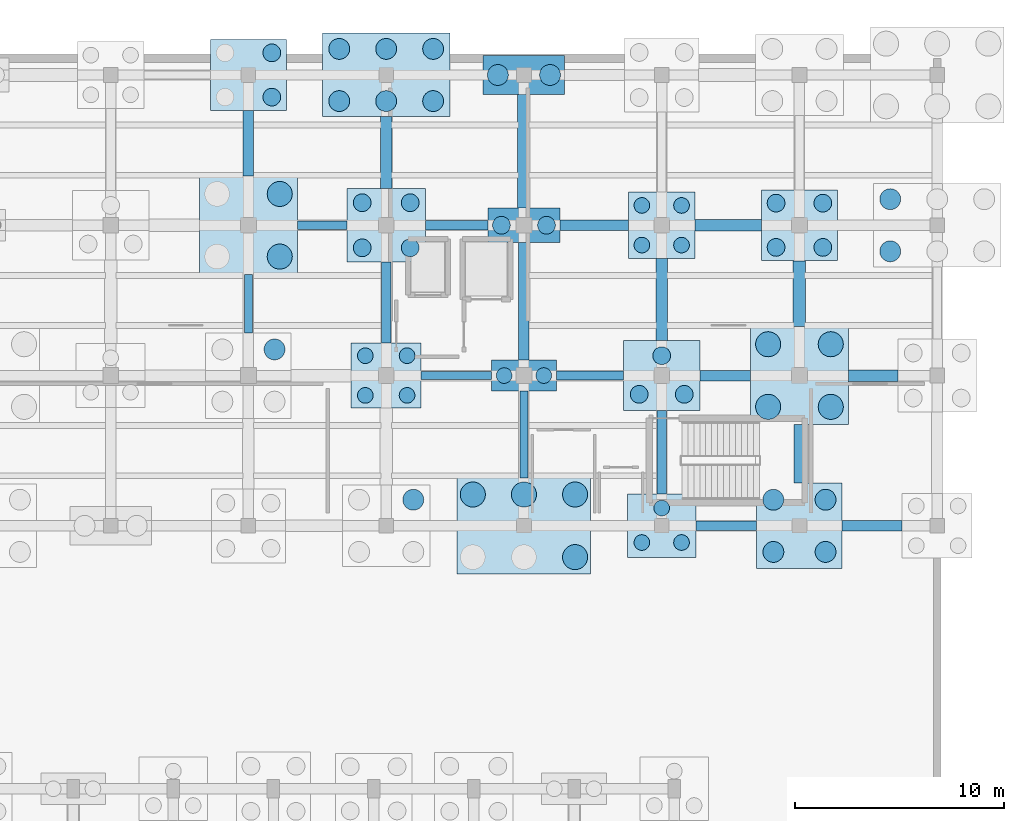
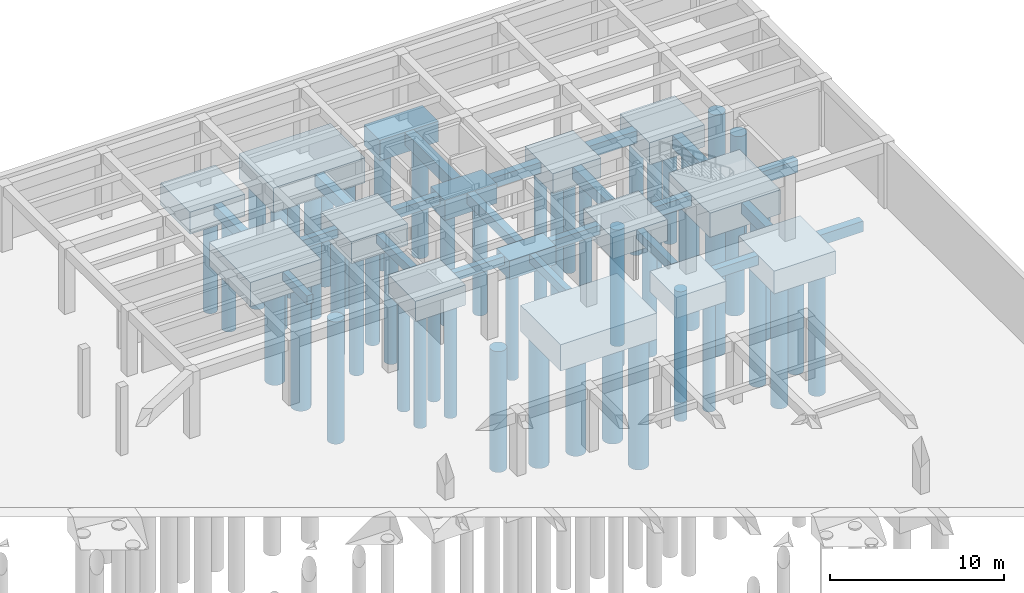
# One storey, part 9 of 34: 54 piles, 36 footings.
"""IFC4 building model written with IfcOpenShell, lengths in metres."""

import ifcopenshell
import ifcopenshell.guid

model = None  # the IFC model being written
_history = None  # IfcOwnerHistory: only IFC2X3 demands one
_inside = {}  # id of a spatial element -> (the spatial element, [elements in it])
_under = {}  # id of a project, library or spatial element -> (it, [spatial elements below it])
_declared = {}  # id of a project -> (the project, [libraries it declares])
_typed = {}  # id of a type object -> (the type object, [elements of that type])
_made_of = {}  # id of a material, layer set ... -> (it, [elements and type objects made of it])


def new_model(schema):
    """Start an empty IFC model of exactly this schema.

    Asked for "IFC4X3", IfcOpenShell would pick the latest addendum, in which some entities
    have other attributes; the version numbers below select the first issue.
    IFC2X3 requires an IfcOwnerHistory on every rooted entity: one is made here for all.
    """
    global model, _history
    if schema == "IFC4X3":
        model = ifcopenshell.file(schema_version=(4, 3, 0, 0))
    else:
        model = ifcopenshell.file(schema=schema)
    _inside.clear()
    _under.clear()
    _declared.clear()
    _typed.clear()
    _made_of.clear()
    _history = None
    if model.schema == "IFC2X3":
        org = make("IfcOrganization", Name="unknown")
        user = make(
            "IfcPersonAndOrganization",
            ThePerson=make("IfcPerson", FamilyName="unknown"),
            TheOrganization=org,
        )
        app = make(
            "IfcApplication",
            ApplicationDeveloper=org,
            Version="unknown",
            ApplicationFullName="unknown",
            ApplicationIdentifier="unknown",
        )
        _history = make(
            "IfcOwnerHistory",
            OwningUser=user,
            OwningApplication=app,
            ChangeAction="ADDED",
            CreationDate=0,
        )
    return model


def make(cls, **values):
    """One entity of the class cls with the attributes given. An attribute that is None is left unset."""
    return model.create_entity(
        cls, **{name: value for name, value in values.items() if value is not None}
    )


def rooted(cls, **values):
    """An entity with a GlobalId (a new one), such as an element, a storey or a relation."""
    return make(cls, GlobalId=ifcopenshell.guid.new(), OwnerHistory=_history, **values)


def si_unit(unit_type, name, prefix=None):
    """IfcSIUnit, for example si_unit("LENGTHUNIT", "METRE", prefix="MILLI")."""
    return make("IfcSIUnit", UnitType=unit_type, Prefix=prefix, Name=name)


def assignment(units):
    """IfcUnitAssignment: the units of a project."""
    return None if units is None else make("IfcUnitAssignment", Units=units)


def point(xyz):
    """IfcCartesianPoint."""
    return None if xyz is None else make("IfcCartesianPoint", Coordinates=xyz)


def direction(xyz):
    """IfcDirection."""
    return None if xyz is None else make("IfcDirection", DirectionRatios=xyz)


def frame(location, z_axis=None, x_axis=None):
    """IfcAxis2Placement3D, a coordinate frame: its origin and axes. An axis left out is left unset."""
    return make(
        "IfcAxis2Placement3D",
        Location=point(location),
        Axis=direction(z_axis),
        RefDirection=direction(x_axis),
    )


def frame_2d(location, x_axis=None):
    """IfcAxis2Placement2D, a coordinate frame in the plane: its origin and x axis."""
    return make(
        "IfcAxis2Placement2D", Location=point(location), RefDirection=direction(x_axis)
    )


def origin():
    """The frame at (0, 0, 0) with its axes left unset."""
    return frame((0.0, 0.0, 0.0))


def origin_2d():
    """The frame at (0, 0) in the plane with its x axis left unset."""
    return frame_2d((0.0, 0.0))


def place(relative_to, where):
    """IfcLocalPlacement: puts the frame where relative to a parent placement (None: the world)."""
    return make(
        "IfcLocalPlacement", PlacementRelTo=relative_to, RelativePlacement=where
    )


def context(
    kind, dimensions, precision=None, world=None, true_north=None, identifier=None
):
    """IfcGeometricRepresentationContext, for example the 3D "Model" context."""
    return make(
        "IfcGeometricRepresentationContext",
        ContextIdentifier=identifier,
        ContextType=kind,
        CoordinateSpaceDimension=dimensions,
        Precision=precision,
        WorldCoordinateSystem=world,
        TrueNorth=true_north,
    )


def subcontext(parent, identifier, kind, view, scale=None):
    """IfcGeometricRepresentationSubContext, for example "Body" below "Model"."""
    return make(
        "IfcGeometricRepresentationSubContext",
        ContextIdentifier=identifier,
        ContextType=kind,
        ParentContext=parent,
        TargetScale=scale,
        TargetView=view,
    )


def project(units=None, contexts=None):
    """IfcProject with its units and contexts."""
    return rooted(
        "IfcProject",
        Name="project",
        RepresentationContexts=contexts,
        UnitsInContext=assignment(units),
    )


def spatial(cls, under=None, at=None, **own):
    """A site, building, storey or space (cls), placed at a placement, below another one or the project."""
    s = rooted(cls, ObjectPlacement=at, **own)
    if under is not None:
        _under.setdefault(under.id(), (under, []))[1].append(s)
    return s


def profile(cls, at=None, kind="AREA", **sizes):
    """A parametric profile (cls). Its sizes go by their IFC names, for example OverallWidth=200.0."""
    return make(cls, ProfileType=kind, Position=at, **sizes)


def rectangle(**sizes):
    """IfcRectangleProfileDef."""
    return profile("IfcRectangleProfileDef", **sizes)


def circle(**sizes):
    """IfcCircleProfileDef."""
    return profile("IfcCircleProfileDef", **sizes)


def extrude(swept, where, along, depth):
    """IfcExtrudedAreaSolid: the profile swept, set in the frame where, extruded along a direction by depth."""
    return make(
        "IfcExtrudedAreaSolid",
        SweptArea=swept,
        Position=where,
        ExtrudedDirection=direction(along),
        Depth=depth,
    )


def shape(context_of_items, identifier, shape_type, items):
    """IfcShapeRepresentation: the items that make up one representation, for example the "Body"."""
    return make(
        "IfcShapeRepresentation",
        ContextOfItems=context_of_items,
        RepresentationIdentifier=identifier,
        RepresentationType=shape_type,
        Items=items,
    )


def material(Name=None, Category=None):
    """IfcMaterial."""
    return make("IfcMaterial", Name=Name, Category=Category)


def material_profile(
    of_material, cross_section, Name=None, Category=None, Priority=None
):
    """IfcMaterialProfile: a cross section and its material."""
    return make(
        "IfcMaterialProfile",
        Name=Name,
        Material=of_material,
        Profile=cross_section,
        Priority=Priority,
        Category=Category,
    )


def profile_set(profiles, Name=None, composite=None):
    """IfcMaterialProfileSet."""
    return make(
        "IfcMaterialProfileSet",
        Name=Name,
        MaterialProfiles=profiles,
        CompositeProfile=composite,
    )


def made_of(thing, what):
    """Note that an element or type object is made of a material, layer set ...; save() writes the relation."""
    if what is not None:
        _made_of.setdefault(what.id(), (what, []))[1].append(thing)
    return thing


def type_object(cls, material=None, **own):
    """A type object (cls), such as IfcWallType, which elements share."""
    return made_of(rooted(cls, **own), material)


def element(
    cls,
    number,
    at=None,
    inside=None,
    cuts=None,
    type_object=None,
    material=None,
    context=None,
    identifier="Body",
    shape_type=None,
    held_by="IfcProductDefinitionShape",
    body=None,
    shapes=None,
    **own,
):
    """One element of the class cls, such as IfcWall. Its Tag is "e" and its number.

    at: its placement. inside: the storey or other place that contains it. cuts: it is an
    opening in that element (IfcRelVoidsElement). A single representation is given by context,
    identifier, shape_type and body (its items); several are given by shapes. held_by: the class
    of the entity that holds the representations. save() writes the other relations.
    """
    e = rooted(cls, Tag="e%d" % number, ObjectPlacement=at, **own)
    if body is not None:
        shapes = [shape(context, identifier, shape_type, body)]
    if shapes is not None:
        e.Representation = make(held_by, Representations=shapes)
    if inside is not None:
        _inside.setdefault(inside.id(), (inside, []))[1].append(e)
    if cuts is not None:
        rooted(
            "IfcRelVoidsElement", RelatingBuildingElement=cuts, RelatedOpeningElement=e
        )
    if type_object is not None:
        _typed.setdefault(type_object.id(), (type_object, []))[1].append(e)
    return made_of(e, material)


def aggregate(whole, parts):
    """IfcRelAggregates: a whole, such as a stair, and the parts it consists of."""
    return rooted("IfcRelAggregates", RelatingObject=whole, RelatedObjects=parts)


def save(model, path):
    """Write the relations noted so far, then the file.

    IfcRelAggregates (storeys below a building ...), IfcRelContainedInSpatialStructure (elements
    in a storey), IfcRelDefinesByType, IfcRelAssociatesMaterial and IfcRelDeclares: one each for
    every whole, place, type object, material and project.
    """
    for whole, parts in _under.values():
        aggregate(whole, parts)
    for where, things in _inside.values():
        rooted(
            "IfcRelContainedInSpatialStructure",
            RelatedElements=things,
            RelatingStructure=where,
        )
    for kind, things in _typed.values():
        rooted("IfcRelDefinesByType", RelatedObjects=things, RelatingType=kind)
    for what, things in _made_of.values():
        rooted("IfcRelAssociatesMaterial", RelatedObjects=things, RelatingMaterial=what)
    for by, libraries in _declared.values():
        rooted("IfcRelDeclares", RelatingContext=by, RelatedDefinitions=libraries)
    model.write(path)


model = new_model("IFC4")

# Units and contexts
model_context = context("Model", 3, precision=1e-05, world=origin(), true_north=direction((0.0, 1.0)))
body_context = subcontext(model_context, "Body", "Model", "MODEL_VIEW")
ifc_project = project(units=[si_unit("LENGTHUNIT", "METRE"), si_unit("AREAUNIT", "SQUARE_METRE"), si_unit("VOLUMEUNIT", "CUBIC_METRE"), si_unit("PLANEANGLEUNIT", "RADIAN"), si_unit("MASSUNIT", "GRAM", prefix="KILO")], contexts=[model_context])

# Site, building, storey
site_placement = place(None, origin())
site = spatial("IfcSite", under=ifc_project, at=site_placement, CompositionType="ELEMENT")
building_placement = place(site_placement, origin())
building = spatial("IfcBuilding", under=site, at=building_placement, Name="Kharisveld Research Institute", CompositionType="ELEMENT")
storey_placement = place(building_placement, frame((0.0, 0.0, -4.800048828125)))
storey = spatial("IfcBuildingStorey", under=building, at=storey_placement, Name="B1", CompositionType="ELEMENT", Elevation=-4.800048828125)

# Footings
ifc_material_1 = material(Name="Concrete C35/45", Category="concrete")
ifc_material_profile_1 = material_profile(ifc_material_1, rectangle(XDim=0.449951171875, YDim=0.64990234375, at=origin_2d()))
ifc_profile_set_1 = profile_set([ifc_material_profile_1], Name="Concrete C35/45")
footing_type_1 = type_object("IfcFootingType", Name="GB_01", PredefinedType="FOOTING_BEAM", material=ifc_profile_set_1)
footing_1_placement = place(storey_placement, frame((149.25, 39.199951171875, -0.77490234375), z_axis=(1.0, 0.0, 0.0), x_axis=(0.0, 1.0, 0.0)))
element("IfcFooting", 1, at=footing_1_placement, inside=storey, type_object=footing_type_1, Name="FTG:GB:V2:U5_0", PredefinedType="FOOTING_BEAM", context=body_context, shape_type="SweptSolid", body=[
    extrude(rectangle(XDim=0.449951171875, YDim=0.64990234375, at=origin_2d()), origin(), (0.0, 0.0, 1.0), 2.89990234375),
])
footing_2_placement = place(storey_placement, frame((142.550048828125, 46.39990234375, -0.77490234375), z_axis=(1.0, 0.0, 0.0), x_axis=(0.0, 1.0, 0.0)))
element("IfcFooting", 2, at=footing_2_placement, inside=storey, type_object=footing_type_1, Name="FTG:GB:V2:U4_1", PredefinedType="FOOTING_BEAM", context=body_context, shape_type="SweptSolid", body=[
    extrude(rectangle(XDim=0.449951171875, YDim=0.64990234375, at=origin_2d()), origin(), (0.0, 0.0, 1.0), 3.224853515625),
])
footing_3_placement = place(storey_placement, frame((136.27490234375, 53.60009765625, -0.77490234375), z_axis=(1.0, 0.0, 0.0), x_axis=(0.0, 1.0, 0.0)))
element("IfcFooting", 3, at=footing_3_placement, inside=storey, type_object=footing_type_1, Name="FTG:GB:V2:U3_2", PredefinedType="FOOTING_BEAM", context=body_context, shape_type="SweptSolid", body=[
    extrude(rectangle(XDim=0.449951171875, YDim=0.64990234375, at=origin_2d()), origin(), (0.0, 0.0, 1.0), 3.0),
])
footing_4_placement = place(storey_placement, frame((134.39990234375, 47.949951171875, -0.77490234375), z_axis=(0.0, 1.0, 0.0), x_axis=(-1.0, 0.0, 0.0)))
element("IfcFooting", 4, at=footing_4_placement, inside=storey, type_object=footing_type_1, Name="FTG:GB:V2:V3_1", PredefinedType="FOOTING_BEAM", context=body_context, shape_type="SweptSolid", body=[
    extrude(rectangle(XDim=0.449951171875, YDim=0.64990234375, at=origin_2d()), origin(), (0.0, 0.0, 1.0), 3.900146484375),
])
footing_5_placement = place(storey_placement, frame((147.60009765625, 40.72509765625, -0.77490234375), z_axis=(0.0, 1.0, 0.0), x_axis=(-1.0, 0.0, 0.0)))
element("IfcFooting", 5, at=footing_5_placement, inside=storey, type_object=footing_type_1, Name="FTG:GB:V2:V5_0", PredefinedType="FOOTING_BEAM", context=body_context, shape_type="SweptSolid", body=[
    extrude(rectangle(XDim=0.449951171875, YDim=0.64990234375, at=origin_2d()), origin(), (0.0, 0.0, 1.0), 4.0),
])
ifc_material_2 = material(Name="Concrete C35/45", Category="concrete")
ifc_material_profile_2 = material_profile(ifc_material_2, rectangle(XDim=0.5, YDim=0.75, at=origin_2d()))
ifc_profile_set_2 = profile_set([ifc_material_profile_2], Name="Concrete C35/45")
footing_type_2 = type_object("IfcFootingType", Name="GB_02", PredefinedType="FOOTING_BEAM", material=ifc_profile_set_2)
footing_6_placement = place(storey_placement, frame((156.25, 39.199951171875, -0.824951171875), z_axis=(1.0, 0.0, 0.0), x_axis=(0.0, 1.0, 0.0)))
element("IfcFooting", 6, at=footing_6_placement, inside=storey, type_object=footing_type_2, Name="FTG:GB:V2:U6_0", PredefinedType="FOOTING_BEAM", context=body_context, shape_type="SweptSolid", body=[
    extrude(rectangle(XDim=0.5, YDim=0.75, at=origin_2d()), origin(), (0.0, 0.0, 1.0), 2.875),
])
footing_7_placement = place(storey_placement, frame((149.425048828125, 46.39990234375, -0.824951171875), z_axis=(1.0, 0.0, 0.0), x_axis=(0.0, 1.0, 0.0)))
element("IfcFooting", 7, at=footing_7_placement, inside=storey, type_object=footing_type_2, Name="FTG:GB:V2:U5_1", PredefinedType="FOOTING_BEAM", context=body_context, shape_type="SweptSolid", body=[
    extrude(rectangle(XDim=0.5, YDim=0.75, at=origin_2d()), origin(), (0.0, 0.0, 1.0), 2.425048828125),
])
footing_8_placement = place(storey_placement, frame((142.72509765625, 53.60009765625, -0.824951171875), z_axis=(1.0, 0.0, 0.0), x_axis=(0.0, 1.0, 0.0)))
element("IfcFooting", 8, at=footing_8_placement, inside=storey, type_object=footing_type_2, Name="FTG:GB:V2:U4_2", PredefinedType="FOOTING_BEAM", context=body_context, shape_type="SweptSolid", body=[
    extrude(rectangle(XDim=0.5, YDim=0.75, at=origin_2d()), origin(), (0.0, 0.0, 1.0), 3.27490234375),
])
footing_9_placement = place(storey_placement, frame((127.800048828125, 55.949951171875, -0.824951171875), z_axis=(0.0, 1.0, 0.0), x_axis=(-1.0, 0.0, 0.0)))
element("IfcFooting", 9, at=footing_9_placement, inside=storey, type_object=footing_type_2, Name="FTG:GB:V2:V2_2", PredefinedType="FOOTING_BEAM", context=body_context, shape_type="SweptSolid", body=[
    extrude(rectangle(XDim=0.5, YDim=0.75, at=origin_2d()), origin(), (0.0, 0.0, 1.0), 3.150146484375),
])
footing_10_placement = place(storey_placement, frame((141.0, 47.14990234375, -0.824951171875), z_axis=(0.0, 1.0, 0.0), x_axis=(-1.0, 0.0, 0.0)))
element("IfcFooting", 10, at=footing_10_placement, inside=storey, type_object=footing_type_2, Name="FTG:GB:V2:V4_1", PredefinedType="FOOTING_BEAM", context=body_context, shape_type="SweptSolid", body=[
    extrude(rectangle(XDim=0.5, YDim=0.75, at=origin_2d()), origin(), (0.0, 0.0, 1.0), 5.625),
])
footing_11_placement = place(storey_placement, frame((154.199951171875, 41.25, -0.824951171875), z_axis=(0.0, 1.0, 0.0), x_axis=(-1.0, 0.0, 0.0)))
element("IfcFooting", 11, at=footing_11_placement, inside=storey, type_object=footing_type_2, Name="FTG:GB:V2:V6_0", PredefinedType="FOOTING_BEAM", context=body_context, shape_type="SweptSolid", body=[
    extrude(rectangle(XDim=0.5, YDim=0.75, at=origin_2d()), origin(), (0.0, 0.0, 1.0), 2.800048828125),
])
ifc_material_3 = material(Name="Concrete C35/45", Category="concrete")
ifc_material_profile_3 = material_profile(ifc_material_3, rectangle(XDim=0.550048828125, YDim=0.85009765625, at=origin_2d()))
ifc_profile_set_3 = profile_set([ifc_material_profile_3], Name="Concrete C35/45")
footing_type_3 = type_object("IfcFootingType", Name="GB_03", PredefinedType="FOOTING_BEAM", material=ifc_profile_set_3)
footing_12_placement = place(storey_placement, frame((156.550048828125, 46.39990234375, -0.875), z_axis=(1.0, 0.0, 0.0), x_axis=(0.0, 1.0, 0.0)))
element("IfcFooting", 12, at=footing_12_placement, inside=storey, type_object=footing_type_3, Name="FTG:GB:V2:U6_1", PredefinedType="FOOTING_BEAM", context=body_context, shape_type="SweptSolid", body=[
    extrude(rectangle(XDim=0.550048828125, YDim=0.85009765625, at=origin_2d()), origin(), (0.0, 0.0, 1.0), 2.375),
])
footing_13_placement = place(storey_placement, frame((149.199951171875, 53.60009765625, -0.875), z_axis=(1.0, 0.0, 0.0), x_axis=(0.0, 1.0, 0.0)))
element("IfcFooting", 13, at=footing_13_placement, inside=storey, type_object=footing_type_3, Name="FTG:GB:V2:U5_2", PredefinedType="FOOTING_BEAM", context=body_context, shape_type="SweptSolid", body=[
    extrude(rectangle(XDim=0.550048828125, YDim=0.85009765625, at=origin_2d()), origin(), (0.0, 0.0, 1.0), 3.175048828125),
])
footing_14_placement = place(storey_placement, frame((134.39990234375, 55.35009765625, -0.875), z_axis=(0.0, 1.0, 0.0), x_axis=(-1.0, 0.0, 0.0)))
element("IfcFooting", 14, at=footing_14_placement, inside=storey, type_object=footing_type_3, Name="FTG:GB:V2:V3_2", PredefinedType="FOOTING_BEAM", context=body_context, shape_type="SweptSolid", body=[
    extrude(rectangle(XDim=0.550048828125, YDim=0.85009765625, at=origin_2d()), origin(), (0.0, 0.0, 1.0), 3.449951171875),
])
footing_15_placement = place(storey_placement, frame((147.60009765625, 48.074951171875, -0.875), z_axis=(0.0, 1.0, 0.0), x_axis=(-1.0, 0.0, 0.0)))
element("IfcFooting", 15, at=footing_15_placement, inside=storey, type_object=footing_type_3, Name="FTG:GB:V2:V5_1", PredefinedType="FOOTING_BEAM", context=body_context, shape_type="SweptSolid", body=[
    extrude(rectangle(XDim=0.550048828125, YDim=0.85009765625, at=origin_2d()), origin(), (0.0, 0.0, 1.0), 3.925048828125),
])
ifc_material_4 = material(Name="Concrete C35/45", Category="concrete")
ifc_material_profile_4 = material_profile(ifc_material_4, rectangle(XDim=0.60009765625, YDim=0.89990234375, at=origin_2d()))
ifc_profile_set_4 = profile_set([ifc_material_profile_4], Name="Concrete C35/45")
footing_type_4 = type_object("IfcFootingType", Name="GB_04", PredefinedType="FOOTING_BEAM", material=ifc_profile_set_4)
footing_16_placement = place(storey_placement, frame((141.0, 54.425048828125, -0.89990234375), z_axis=(0.0, 1.0, 0.0), x_axis=(-1.0, 0.0, 0.0)))
element("IfcFooting", 16, at=footing_16_placement, inside=storey, type_object=footing_type_4, Name="FTG:GB:V2:V4_2", PredefinedType="FOOTING_BEAM", context=body_context, shape_type="SweptSolid", body=[
    extrude(rectangle(XDim=0.60009765625, YDim=0.89990234375, at=origin_2d()), origin(), (0.0, 0.0, 1.0), 5.449951171875),
])
footing_17_placement = place(storey_placement, frame((154.199951171875, 48.75, -0.89990234375), z_axis=(0.0, 1.0, 0.0), x_axis=(-1.0, 0.0, 0.0)))
element("IfcFooting", 17, at=footing_17_placement, inside=storey, type_object=footing_type_4, Name="FTG:GB:V2:V6_1", PredefinedType="FOOTING_BEAM", context=body_context, shape_type="SweptSolid", body=[
    extrude(rectangle(XDim=0.60009765625, YDim=0.89990234375, at=origin_2d()), origin(), (0.0, 0.0, 1.0), 3.14990234375),
])
ifc_material_5 = material(Name="Concrete C35/45", Category="concrete")
ifc_material_profile_5 = material_profile(ifc_material_5, rectangle(XDim=0.39990234375, YDim=0.60009765625, at=origin_2d()))
ifc_profile_set_5 = profile_set([ifc_material_profile_5], Name="Concrete C35/45")
footing_type_5 = type_object("IfcFootingType", Name="GB_05", PredefinedType="FOOTING_BEAM", material=ifc_profile_set_5)
footing_18_placement = place(storey_placement, frame((136.074951171875, 46.39990234375, -0.75), z_axis=(1.0, 0.0, 0.0), x_axis=(0.0, 1.0, 0.0)))
element("IfcFooting", 18, at=footing_18_placement, inside=storey, type_object=footing_type_5, Name="FTG:GB:V2:U3_1", PredefinedType="FOOTING_BEAM", context=body_context, shape_type="SweptSolid", body=[
    extrude(rectangle(XDim=0.39990234375, YDim=0.60009765625, at=origin_2d()), origin(), (0.0, 0.0, 1.0), 3.375),
])
footing_19_placement = place(storey_placement, frame((130.14990234375, 53.60009765625, -0.75), z_axis=(1.0, 0.0, 0.0), x_axis=(0.0, 1.0, 0.0)))
element("IfcFooting", 19, at=footing_19_placement, inside=storey, type_object=footing_type_5, Name="FTG:GB:V2:U2_2", PredefinedType="FOOTING_BEAM", context=body_context, shape_type="SweptSolid", body=[
    extrude(rectangle(XDim=0.39990234375, YDim=0.60009765625, at=origin_2d()), origin(), (0.0, 0.0, 1.0), 2.375),
])
footing_20_placement = place(storey_placement, frame((127.800048828125, 48.449951171875, -0.75), z_axis=(0.0, 1.0, 0.0), x_axis=(-1.0, 0.0, 0.0)))
element("IfcFooting", 20, at=footing_20_placement, inside=storey, type_object=footing_type_5, Name="FTG:GB:V2:V2_1", PredefinedType="FOOTING_BEAM", context=body_context, shape_type="SweptSolid", body=[
    extrude(rectangle(XDim=0.39990234375, YDim=0.60009765625, at=origin_2d()), origin(), (0.0, 0.0, 1.0), 2.800048828125),
])
footing_21_placement = place(storey_placement, frame((141.0, 41.5, -0.75), z_axis=(0.0, 1.0, 0.0), x_axis=(-1.0, 0.0, 0.0)))
element("IfcFooting", 21, at=footing_21_placement, inside=storey, type_object=footing_type_5, Name="FTG:GB:V2:V4_0", PredefinedType="FOOTING_BEAM", context=body_context, shape_type="SweptSolid", body=[
    extrude(rectangle(XDim=0.39990234375, YDim=0.60009765625, at=origin_2d()), origin(), (0.0, 0.0, 1.0), 4.14990234375),
])
ifc_material_6 = material(Name="Concrete C35/45", Category="concrete")
footing_type_6 = type_object("IfcFootingType", Name="PC_2P_A", PredefinedType="PILE_CAP", material=ifc_material_6)
footing_22_placement = place(storey_placement, frame((141.0, 46.39990234375, -1.75), z_axis=(0.0, 0.0, 1.0), x_axis=(1.0, 0.0, 0.0)))
element("IfcFooting", 22, at=footing_22_placement, inside=storey, type_object=footing_type_6, Name="FTG:V2:U4V1", PredefinedType="PILE_CAP", context=body_context, shape_type="SweptSolid", body=[
    extrude(rectangle(XDim=3.10009765625, YDim=1.5, at=origin_2d()), origin(), (0.0, 0.0, 1.0), 1.300048828125),
])
ifc_material_7 = material(Name="Concrete C35/45", Category="concrete")
footing_type_7 = type_object("IfcFootingType", Name="PC_2P_B", PredefinedType="PILE_CAP", material=ifc_material_7)
footing_23_placement = place(storey_placement, frame((141.0, 53.60009765625, -1.849853515625), z_axis=(0.0, 0.0, 1.0), x_axis=(1.0, 0.0, 0.0)))
element("IfcFooting", 23, at=footing_23_placement, inside=storey, type_object=footing_type_7, Name="FTG:V2:U4V2", PredefinedType="PILE_CAP", context=body_context, shape_type="SweptSolid", body=[
    extrude(rectangle(XDim=3.449951171875, YDim=1.64990234375, at=origin_2d()), origin(), (0.0, 0.0, 1.0), 1.39990234375),
])
ifc_material_8 = material(Name="Concrete C35/45", Category="concrete")
footing_type_8 = type_object("IfcFootingType", Name="PC_2P_C", PredefinedType="PILE_CAP", material=ifc_material_8)
footing_24_placement = place(storey_placement, frame((141.0, 60.800048828125, -1.89990234375), z_axis=(0.0, 0.0, 1.0), x_axis=(1.0, 0.0, 0.0)))
element("IfcFooting", 24, at=footing_24_placement, inside=storey, type_object=footing_type_8, Name="FTG:V2:U4V3", PredefinedType="PILE_CAP", context=body_context, shape_type="SweptSolid", body=[
    extrude(rectangle(XDim=3.89990234375, YDim=1.85009765625, at=origin_2d()), origin(), (0.0, 0.0, 1.0), 1.449951171875),
])
ifc_material_9 = material(Name="Concrete C35/45", Category="concrete")
footing_type_9 = type_object("IfcFootingType", Name="PC_3P_A", PredefinedType="PILE_CAP", material=ifc_material_9)
footing_25_placement = place(storey_placement, frame((147.60009765625, 39.199951171875, -1.89990234375), z_axis=(0.0, 0.0, 1.0), x_axis=(1.0, 0.0, 0.0)))
element("IfcFooting", 25, at=footing_25_placement, inside=storey, type_object=footing_type_9, Name="FTG:V2:U5V0", PredefinedType="PILE_CAP", context=body_context, shape_type="SweptSolid", body=[
    extrude(rectangle(XDim=3.300048828125, YDim=3.050048828125, at=origin_2d()), origin(), (0.0, 0.0, 1.0), 1.449951171875),
])
ifc_material_10 = material(Name="Concrete C35/45", Category="concrete")
footing_type_10 = type_object("IfcFootingType", Name="PC_3P_B", PredefinedType="PILE_CAP", material=ifc_material_10)
footing_26_placement = place(storey_placement, frame((147.60009765625, 46.39990234375, -1.949951171875), z_axis=(0.0, 0.0, 1.0), x_axis=(1.0, 0.0, 0.0)))
element("IfcFooting", 26, at=footing_26_placement, inside=storey, type_object=footing_type_10, Name="FTG:V2:U5V1", PredefinedType="PILE_CAP", context=body_context, shape_type="SweptSolid", body=[
    extrude(rectangle(XDim=3.64990234375, YDim=3.35009765625, at=origin_2d()), origin(), (0.0, 0.0, 1.0), 1.5),
])
ifc_material_11 = material(Name="Concrete C35/45", Category="concrete")
footing_type_11 = type_object("IfcFootingType", Name="PC_4P_A", PredefinedType="PILE_CAP", material=ifc_material_11)
footing_27_placement = place(storey_placement, frame((147.60009765625, 53.60009765625, -1.849853515625), z_axis=(0.0, 0.0, 1.0), x_axis=(1.0, 0.0, 0.0)))
element("IfcFooting", 27, at=footing_27_placement, inside=storey, type_object=footing_type_11, Name="FTG:V2:U5V2", PredefinedType="PILE_CAP", context=body_context, shape_type="SweptSolid", body=[
    extrude(rectangle(XDim=3.199951171875, YDim=3.199951171875, at=origin_2d()), origin(), (0.0, 0.0, 1.0), 1.39990234375),
])
ifc_material_12 = material(Name="Concrete C35/45", Category="concrete")
footing_type_12 = type_object("IfcFootingType", Name="PC_4P_C", PredefinedType="PILE_CAP", material=ifc_material_12)
footing_28_placement = place(storey_placement, frame((154.199951171875, 39.199951171875, -2.050048828125), z_axis=(0.0, 0.0, 1.0), x_axis=(1.0, 0.0, 0.0)))
element("IfcFooting", 28, at=footing_28_placement, inside=storey, type_object=footing_type_12, Name="FTG:V2:U6V0", PredefinedType="PILE_CAP", context=body_context, shape_type="SweptSolid", body=[
    extrude(rectangle(XDim=4.10009765625, YDim=4.10009765625, at=origin_2d()), origin(), (0.0, 0.0, 1.0), 1.60009765625),
])
ifc_material_13 = material(Name="Concrete C35/45", Category="concrete")
footing_type_13 = type_object("IfcFootingType", Name="PC_4P_D", PredefinedType="PILE_CAP", material=ifc_material_13)
for number, where, z_axis, x_axis, name in (
    (29, (127.800048828125, 53.60009765625, -2.14990234375), (0.0, 0.0, 1.0), (1.0, 0.0, 0.0), "FTG:V2:U2V2"),
    (30, (154.199951171875, 46.39990234375, -2.14990234375), (0.0, 0.0, 1.0), (1.0, 0.0, 0.0), "FTG:V2:U6V1"),
):
    element("IfcFooting", number, at=place(storey_placement, frame(where, z_axis=z_axis, x_axis=x_axis)), inside=storey, type_object=footing_type_13, Name=name, PredefinedType="PILE_CAP", context=body_context, shape_type="SweptSolid", body=[
        extrude(rectangle(XDim=4.699951171875, YDim=4.699951171875, at=origin_2d()), origin(), (0.0, 0.0, 1.0), 1.699951171875),
    ])
ifc_material_14 = material(Name="Concrete C35/45", Category="concrete")
footing_type_14 = type_object("IfcFootingType", Name="PC_4P_E", PredefinedType="PILE_CAP", material=ifc_material_14)
for number, where, z_axis, x_axis, name in (
    (31, (127.800048828125, 60.800048828125, -2.0), (0.0, 0.0, 1.0), (1.0, 0.0, 0.0), "FTG:V2:U2V3"),
    (32, (154.199951171875, 53.60009765625, -2.0), (0.0, 0.0, 1.0), (1.0, 0.0, 0.0), "FTG:V2:U6V2"),
):
    element("IfcFooting", number, at=place(storey_placement, frame(where, z_axis=z_axis, x_axis=x_axis)), inside=storey, type_object=footing_type_14, Name=name, PredefinedType="PILE_CAP", context=body_context, shape_type="SweptSolid", body=[
        extrude(rectangle(XDim=3.64990234375, YDim=3.39990234375, at=origin_2d()), origin(), (0.0, 0.0, 1.0), 1.550048828125),
    ])
ifc_material_15 = material(Name="Concrete C35/45", Category="concrete")
footing_type_15 = type_object("IfcFootingType", Name="PC_4P_G", PredefinedType="PILE_CAP", material=ifc_material_15)
footing_29_placement = place(storey_placement, frame((134.39990234375, 46.39990234375, -1.869873046875), z_axis=(0.0, 0.0, 1.0), x_axis=(1.0, 0.0, 0.0)))
element("IfcFooting", 33, at=footing_29_placement, inside=storey, type_object=footing_type_15, Name="FTG:V2:U3V1", PredefinedType="PILE_CAP", context=body_context, shape_type="SweptSolid", body=[
    extrude(rectangle(XDim=3.35009765625, YDim=3.10009765625, at=origin_2d()), origin(), (0.0, 0.0, 1.0), 1.419921875),
])
ifc_material_16 = material(Name="Concrete C35/45", Category="concrete")
footing_type_16 = type_object("IfcFootingType", Name="PC_4P_H", PredefinedType="PILE_CAP", material=ifc_material_16)
footing_30_placement = place(storey_placement, frame((134.39990234375, 53.60009765625, -1.969970703125), z_axis=(0.0, 0.0, 1.0), x_axis=(1.0, 0.0, 0.0)))
element("IfcFooting", 34, at=footing_30_placement, inside=storey, type_object=footing_type_16, Name="FTG:V2:U3V2", PredefinedType="PILE_CAP", context=body_context, shape_type="SweptSolid", body=[
    extrude(rectangle(XDim=3.75, YDim=3.5, at=origin_2d()), origin(), (0.0, 0.0, 1.0), 1.52001953125),
])
ifc_material_17 = material(Name="Concrete C35/45", Category="concrete")
footing_type_17 = type_object("IfcFootingType", Name="PC_6P_A", PredefinedType="PILE_CAP", material=ifc_material_17)
footing_31_placement = place(storey_placement, frame((134.39990234375, 60.800048828125, -2.199951171875), z_axis=(0.0, 0.0, 1.0), x_axis=(1.0, 0.0, 0.0)))
element("IfcFooting", 35, at=footing_31_placement, inside=storey, type_object=footing_type_17, Name="FTG:V2:U3V3", PredefinedType="PILE_CAP", context=body_context, shape_type="SweptSolid", body=[
    extrude(rectangle(XDim=6.10009765625, YDim=4.0, at=origin_2d()), origin(), (0.0, 0.0, 1.0), 1.75),
])
ifc_material_18 = material(Name="Concrete C35/45", Category="concrete")
footing_type_18 = type_object("IfcFootingType", Name="PC_6P_B", PredefinedType="PILE_CAP", material=ifc_material_18)
footing_32_placement = place(storey_placement, frame((141.0, 39.199951171875, -2.300048828125), z_axis=(0.0, 0.0, 1.0), x_axis=(1.0, 0.0, 0.0)))
element("IfcFooting", 36, at=footing_32_placement, inside=storey, type_object=footing_type_18, Name="FTG:V2:U4V0", PredefinedType="PILE_CAP", context=body_context, shape_type="SweptSolid", body=[
    extrude(rectangle(XDim=6.39990234375, YDim=4.60009765625, at=origin_2d()), origin(), (0.0, 0.0, 1.0), 1.85009765625),
])

# Piles
ifc_material_19 = material(Name="Concrete C40/50", Category="concrete")
ifc_material_profile_6 = material_profile(ifc_material_19, circle(Radius=0.5, at=origin_2d()))
ifc_profile_set_6 = profile_set([ifc_material_profile_6], Name="Concrete C40/50")
pile_type_1 = type_object("IfcPileType", Name="PILE_D1000", PredefinedType="BORED", material=ifc_profile_set_6)
pile_1_placement = place(storey_placement, frame((129.050048828125, 47.64990234375, -1.949951171875), z_axis=(0.0, 0.0, -1.0), x_axis=(1.0, 0.0, 0.0)))
element("IfcPile", 37, at=pile_1_placement, inside=storey, type_object=pile_type_1, Name="PILE:V2:U2V1:P3", PredefinedType="BORED", context=body_context, shape_type="SweptSolid", body=[
    extrude(circle(Radius=0.5, at=origin_2d()), origin(), (0.0, 0.0, 1.0), 8.60009765625),
])
pile_2_placement = place(storey_placement, frame((135.699951171875, 40.449951171875, -2.0), z_axis=(0.0, 0.0, -1.0), x_axis=(1.0, 0.0, 0.0)))
element("IfcPile", 38, at=pile_2_placement, inside=storey, type_object=pile_type_1, Name="PILE:V2:U3V0:P3", PredefinedType="BORED", context=body_context, shape_type="SweptSolid", body=[
    extrude(circle(Radius=0.5, at=origin_2d()), origin(), (0.0, 0.0, 1.0), 8.5),
])
for number, where, z_axis, x_axis, name in (
    (39, (132.14990234375, 59.550048828125, -2.099853515625), (0.0, 0.0, -1.0), (1.0, 0.0, 0.0), "PILE:V2:U3V3:P1"),
    (40, (134.39990234375, 59.550048828125, -2.099853515625), (0.0, 0.0, -1.0), (1.0, 0.0, 0.0), "PILE:V2:U3V3:P2"),
    (41, (136.64990234375, 59.550048828125, -2.099853515625), (0.0, 0.0, -1.0), (1.0, 0.0, 0.0), "PILE:V2:U3V3:P3"),
    (42, (132.14990234375, 62.050048828125, -2.099853515625), (0.0, 0.0, -1.0), (1.0, 0.0, 0.0), "PILE:V2:U3V3:P4"),
    (43, (134.39990234375, 62.050048828125, -2.099853515625), (0.0, 0.0, -1.0), (1.0, 0.0, 0.0), "PILE:V2:U3V3:P5"),
    (44, (136.64990234375, 62.050048828125, -2.099853515625), (0.0, 0.0, -1.0), (1.0, 0.0, 0.0), "PILE:V2:U3V3:P6"),
):
    element("IfcPile", number, at=place(storey_placement, frame(where, z_axis=z_axis, x_axis=x_axis)), inside=storey, type_object=pile_type_1, Name=name, PredefinedType="BORED", context=body_context, shape_type="SweptSolid", body=[
        extrude(circle(Radius=0.5, at=origin_2d()), origin(), (0.0, 0.0, 1.0), 8.800048828125),
    ])
for number, where, z_axis, x_axis, name in (
    (45, (139.75, 60.800048828125, -1.800048828125), (0.0, 0.0, -1.0), (1.0, 0.0, 0.0), "PILE:V2:U4V3:P1"),
    (46, (142.25, 60.800048828125, -1.800048828125), (0.0, 0.0, -1.0), (1.0, 0.0, 0.0), "PILE:V2:U4V3:P2"),
):
    element("IfcPile", number, at=place(storey_placement, frame(where, z_axis=z_axis, x_axis=x_axis)), inside=storey, type_object=pile_type_1, Name=name, PredefinedType="BORED", context=body_context, shape_type="SweptSolid", body=[
        extrude(circle(Radius=0.5, at=origin_2d()), origin(), (0.0, 0.0, 1.0), 8.300048828125),
    ])
for number, where, z_axis, x_axis, name in (
    (47, (152.949951171875, 37.949951171875, -1.949951171875), (0.0, 0.0, -1.0), (1.0, 0.0, 0.0), "PILE:V2:U6V0:P1"),
    (48, (155.449951171875, 37.949951171875, -1.949951171875), (0.0, 0.0, -1.0), (1.0, 0.0, 0.0), "PILE:V2:U6V0:P2"),
    (49, (155.449951171875, 40.449951171875, -1.949951171875), (0.0, 0.0, -1.0), (1.0, 0.0, 0.0), "PILE:V2:U6V0:P3"),
    (50, (152.949951171875, 40.449951171875, -1.949951171875), (0.0, 0.0, -1.0), (1.0, 0.0, 0.0), "PILE:V2:U6V0:P4"),
):
    element("IfcPile", number, at=place(storey_placement, frame(where, z_axis=z_axis, x_axis=x_axis)), inside=storey, type_object=pile_type_1, Name=name, PredefinedType="BORED", context=body_context, shape_type="SweptSolid", body=[
        extrude(circle(Radius=0.5, at=origin_2d()), origin(), (0.0, 0.0, 1.0), 8.60009765625),
    ])
for number, where, z_axis, x_axis, name in (
    (51, (158.550048828125, 52.35009765625, -2.099853515625), (0.0, 0.0, -1.0), (1.0, 0.0, 0.0), "PILE:V2:U7V2:P1"),
    (52, (158.550048828125, 54.85009765625, -2.099853515625), (0.0, 0.0, -1.0), (1.0, 0.0, 0.0), "PILE:V2:U7V2:P4"),
):
    element("IfcPile", number, at=place(storey_placement, frame(where, z_axis=z_axis, x_axis=x_axis)), inside=storey, type_object=pile_type_1, Name=name, PredefinedType="BORED", context=body_context, shape_type="SweptSolid", body=[
        extrude(circle(Radius=0.5, at=origin_2d()), origin(), (0.0, 0.0, 1.0), 8.800048828125),
    ])
ifc_material_20 = material(Name="Concrete C40/50", Category="concrete")
ifc_material_profile_7 = material_profile(ifc_material_20, circle(Radius=0.60009765625, at=origin_2d()))
ifc_profile_set_7 = profile_set([ifc_material_profile_7], Name="Concrete C40/50")
pile_type_2 = type_object("IfcPileType", Name="PILE_D1200", PredefinedType="BORED", material=ifc_profile_set_7)
for number, where, z_axis, x_axis, name in (
    (53, (129.300048828125, 52.10009765625, -2.050048828125), (0.0, 0.0, -1.0), (1.0, 0.0, 0.0), "PILE:V2:U2V2:P2"),
    (54, (129.300048828125, 55.10009765625, -2.050048828125), (0.0, 0.0, -1.0), (1.0, 0.0, 0.0), "PILE:V2:U2V2:P3"),
):
    element("IfcPile", number, at=place(storey_placement, frame(where, z_axis=z_axis, x_axis=x_axis)), inside=storey, type_object=pile_type_2, Name=name, PredefinedType="BORED", context=body_context, shape_type="SweptSolid", body=[
        extrude(circle(Radius=0.60009765625, at=origin_2d()), origin(), (0.0, 0.0, 1.0), 8.89990234375),
    ])
for number, where, z_axis, x_axis, name in (
    (55, (143.449951171875, 37.699951171875, -2.199951171875), (0.0, 0.0, -1.0), (1.0, 0.0, 0.0), "PILE:V2:U4V0:P3"),
    (56, (138.550048828125, 40.699951171875, -2.199951171875), (0.0, 0.0, -1.0), (1.0, 0.0, 0.0), "PILE:V2:U4V0:P4"),
    (57, (141.0, 40.699951171875, -2.199951171875), (0.0, 0.0, -1.0), (1.0, 0.0, 0.0), "PILE:V2:U4V0:P5"),
    (58, (143.449951171875, 40.699951171875, -2.199951171875), (0.0, 0.0, -1.0), (1.0, 0.0, 0.0), "PILE:V2:U4V0:P6"),
):
    element("IfcPile", number, at=place(storey_placement, frame(where, z_axis=z_axis, x_axis=x_axis)), inside=storey, type_object=pile_type_2, Name=name, PredefinedType="BORED", context=body_context, shape_type="SweptSolid", body=[
        extrude(circle(Radius=0.60009765625, at=origin_2d()), origin(), (0.0, 0.0, 1.0), 9.10009765625),
    ])
for number, where, z_axis, x_axis, name in (
    (59, (152.699951171875, 44.89990234375, -2.050048828125), (0.0, 0.0, -1.0), (1.0, 0.0, 0.0), "PILE:V2:U6V1:P1"),
    (60, (155.699951171875, 44.89990234375, -2.050048828125), (0.0, 0.0, -1.0), (1.0, 0.0, 0.0), "PILE:V2:U6V1:P2"),
    (61, (155.699951171875, 47.89990234375, -2.050048828125), (0.0, 0.0, -1.0), (1.0, 0.0, 0.0), "PILE:V2:U6V1:P3"),
    (62, (152.699951171875, 47.89990234375, -2.050048828125), (0.0, 0.0, -1.0), (1.0, 0.0, 0.0), "PILE:V2:U6V1:P4"),
):
    element("IfcPile", number, at=place(storey_placement, frame(where, z_axis=z_axis, x_axis=x_axis)), inside=storey, type_object=pile_type_2, Name=name, PredefinedType="BORED", context=body_context, shape_type="SweptSolid", body=[
        extrude(circle(Radius=0.60009765625, at=origin_2d()), origin(), (0.0, 0.0, 1.0), 8.89990234375),
    ])
ifc_material_21 = material(Name="Concrete C40/50", Category="concrete")
ifc_material_profile_8 = material_profile(ifc_material_21, circle(Radius=0.375, at=origin_2d()))
ifc_profile_set_8 = profile_set([ifc_material_profile_8], Name="Concrete C40/50")
pile_type_3 = type_object("IfcPileType", Name="PILE_D750", PredefinedType="BORED", material=ifc_profile_set_8)
for number, where, z_axis, x_axis, name in (
    (63, (133.39990234375, 45.449951171875, -1.77001953125), (0.0, 0.0, -1.0), (1.0, 0.0, 0.0), "PILE:V2:U3V1:P1"),
    (64, (135.39990234375, 45.449951171875, -1.77001953125), (0.0, 0.0, -1.0), (1.0, 0.0, 0.0), "PILE:V2:U3V1:P2"),
    (65, (135.39990234375, 47.35009765625, -1.77001953125), (0.0, 0.0, -1.0), (1.0, 0.0, 0.0), "PILE:V2:U3V1:P3"),
    (66, (133.39990234375, 47.35009765625, -1.77001953125), (0.0, 0.0, -1.0), (1.0, 0.0, 0.0), "PILE:V2:U3V1:P4"),
):
    element("IfcPile", number, at=place(storey_placement, frame(where, z_axis=z_axis, x_axis=x_axis)), inside=storey, type_object=pile_type_3, Name=name, PredefinedType="BORED", context=body_context, shape_type="SweptSolid", body=[
        extrude(circle(Radius=0.375, at=origin_2d()), origin(), (0.0, 0.0, 1.0), 7.949951171875),
    ])
for number, where, z_axis, x_axis, name in (
    (67, (140.050048828125, 46.39990234375, -1.64990234375), (0.0, 0.0, -1.0), (1.0, 0.0, 0.0), "PILE:V2:U4V1:P1"),
    (68, (141.949951171875, 46.39990234375, -1.64990234375), (0.0, 0.0, -1.0), (1.0, 0.0, 0.0), "PILE:V2:U4V1:P2"),
):
    element("IfcPile", number, at=place(storey_placement, frame(where, z_axis=z_axis, x_axis=x_axis)), inside=storey, type_object=pile_type_3, Name=name, PredefinedType="BORED", context=body_context, shape_type="SweptSolid", body=[
        extrude(circle(Radius=0.375, at=origin_2d()), origin(), (0.0, 0.0, 1.0), 7.60009765625),
    ])
for number, where, z_axis, x_axis, name in (
    (69, (146.64990234375, 38.39990234375, -1.800048828125), (0.0, 0.0, -1.0), (1.0, 0.0, 0.0), "PILE:V2:U5V0:P1"),
    (70, (148.550048828125, 38.39990234375, -1.800048828125), (0.0, 0.0, -1.0), (1.0, 0.0, 0.0), "PILE:V2:U5V0:P2"),
    (71, (147.60009765625, 40.050048828125, -1.800048828125), (0.0, 0.0, -1.0), (1.0, 0.0, 0.0), "PILE:V2:U5V0:P3"),
):
    element("IfcPile", number, at=place(storey_placement, frame(where, z_axis=z_axis, x_axis=x_axis)), inside=storey, type_object=pile_type_3, Name=name, PredefinedType="BORED", context=body_context, shape_type="SweptSolid", body=[
        extrude(circle(Radius=0.375, at=origin_2d()), origin(), (0.0, 0.0, 1.0), 7.800048828125),
    ])
for number, where, z_axis, x_axis, name in (
    (72, (146.64990234375, 52.64990234375, -1.75), (0.0, 0.0, -1.0), (1.0, 0.0, 0.0), "PILE:V2:U5V2:P1"),
    (73, (148.550048828125, 52.64990234375, -1.75), (0.0, 0.0, -1.0), (1.0, 0.0, 0.0), "PILE:V2:U5V2:P2"),
    (74, (148.550048828125, 54.550048828125, -1.75), (0.0, 0.0, -1.0), (1.0, 0.0, 0.0), "PILE:V2:U5V2:P3"),
    (75, (146.64990234375, 54.550048828125, -1.75), (0.0, 0.0, -1.0), (1.0, 0.0, 0.0), "PILE:V2:U5V2:P4"),
):
    element("IfcPile", number, at=place(storey_placement, frame(where, z_axis=z_axis, x_axis=x_axis)), inside=storey, type_object=pile_type_3, Name=name, PredefinedType="BORED", context=body_context, shape_type="SweptSolid", body=[
        extrude(circle(Radius=0.375, at=origin_2d()), origin(), (0.0, 0.0, 1.0), 7.89990234375),
    ])
ifc_material_22 = material(Name="Concrete C40/50", Category="concrete")
ifc_material_profile_9 = material_profile(ifc_material_22, circle(Radius=0.425048828125, at=origin_2d()))
ifc_profile_set_9 = profile_set([ifc_material_profile_9], Name="Concrete C40/50")
pile_type_4 = type_object("IfcPileType", Name="PILE_D850", PredefinedType="BORED", material=ifc_profile_set_9)
for number, where, z_axis, x_axis, name in (
    (76, (128.919921875, 59.739990234375, -1.89990234375), (0.0, 0.0, -1.0), (1.0, 0.0, 0.0), "PILE:V2:U2V3:P2"),
    (77, (128.919921875, 61.860107421875, -1.89990234375), (0.0, 0.0, -1.0), (1.0, 0.0, 0.0), "PILE:V2:U2V3:P3"),
):
    element("IfcPile", number, at=place(storey_placement, frame(where, z_axis=z_axis, x_axis=x_axis)), inside=storey, type_object=pile_type_4, Name=name, PredefinedType="BORED", context=body_context, shape_type="SweptSolid", body=[
        extrude(circle(Radius=0.425048828125, at=origin_2d()), origin(), (0.0, 0.0, 1.0), 8.10009765625),
    ])
for number, where, z_axis, x_axis, name in (
    (78, (133.25, 52.52001953125, -1.869873046875), (0.0, 0.0, -1.0), (1.0, 0.0, 0.0), "PILE:V2:U3V2:P1"),
    (79, (135.550048828125, 52.52001953125, -1.869873046875), (0.0, 0.0, -1.0), (1.0, 0.0, 0.0), "PILE:V2:U3V2:P2"),
    (80, (135.550048828125, 54.679931640625, -1.869873046875), (0.0, 0.0, -1.0), (1.0, 0.0, 0.0), "PILE:V2:U3V2:P3"),
    (81, (133.25, 54.679931640625, -1.869873046875), (0.0, 0.0, -1.0), (1.0, 0.0, 0.0), "PILE:V2:U3V2:P4"),
):
    element("IfcPile", number, at=place(storey_placement, frame(where, z_axis=z_axis, x_axis=x_axis)), inside=storey, type_object=pile_type_4, Name=name, PredefinedType="BORED", context=body_context, shape_type="SweptSolid", body=[
        extrude(circle(Radius=0.425048828125, at=origin_2d()), origin(), (0.0, 0.0, 1.0), 8.35009765625),
    ])
for number, where, z_axis, x_axis, name in (
    (82, (139.919921875, 53.60009765625, -1.75), (0.0, 0.0, -1.0), (1.0, 0.0, 0.0), "PILE:V2:U4V2:P1"),
    (83, (142.080078125, 53.60009765625, -1.75), (0.0, 0.0, -1.0), (1.0, 0.0, 0.0), "PILE:V2:U4V2:P2"),
):
    element("IfcPile", number, at=place(storey_placement, frame(where, z_axis=z_axis, x_axis=x_axis)), inside=storey, type_object=pile_type_4, Name=name, PredefinedType="BORED", context=body_context, shape_type="SweptSolid", body=[
        extrude(circle(Radius=0.425048828125, at=origin_2d()), origin(), (0.0, 0.0, 1.0), 8.0),
    ])
for number, where, z_axis, x_axis, name in (
    (84, (146.52001953125, 45.5, -1.849853515625), (0.0, 0.0, -1.0), (1.0, 0.0, 0.0), "PILE:V2:U5V1:P1"),
    (85, (148.679931640625, 45.5, -1.849853515625), (0.0, 0.0, -1.0), (1.0, 0.0, 0.0), "PILE:V2:U5V1:P2"),
    (86, (147.60009765625, 47.35009765625, -1.849853515625), (0.0, 0.0, -1.0), (1.0, 0.0, 0.0), "PILE:V2:U5V1:P3"),
):
    element("IfcPile", number, at=place(storey_placement, frame(where, z_axis=z_axis, x_axis=x_axis)), inside=storey, type_object=pile_type_4, Name=name, PredefinedType="BORED", context=body_context, shape_type="SweptSolid", body=[
        extrude(circle(Radius=0.425048828125, at=origin_2d()), origin(), (0.0, 0.0, 1.0), 8.199951171875),
    ])
for number, where, z_axis, x_axis, name in (
    (87, (153.080078125, 52.5400390625, -1.89990234375), (0.0, 0.0, -1.0), (1.0, 0.0, 0.0), "PILE:V2:U6V2:P1"),
    (88, (155.320068359375, 52.5400390625, -1.89990234375), (0.0, 0.0, -1.0), (1.0, 0.0, 0.0), "PILE:V2:U6V2:P2"),
    (89, (155.320068359375, 54.659912109375, -1.89990234375), (0.0, 0.0, -1.0), (1.0, 0.0, 0.0), "PILE:V2:U6V2:P3"),
    (90, (153.080078125, 54.659912109375, -1.89990234375), (0.0, 0.0, -1.0), (1.0, 0.0, 0.0), "PILE:V2:U6V2:P4"),
):
    element("IfcPile", number, at=place(storey_placement, frame(where, z_axis=z_axis, x_axis=x_axis)), inside=storey, type_object=pile_type_4, Name=name, PredefinedType="BORED", context=body_context, shape_type="SweptSolid", body=[
        extrude(circle(Radius=0.425048828125, at=origin_2d()), origin(), (0.0, 0.0, 1.0), 8.10009765625),
    ])

save(model, "model.ifc")
